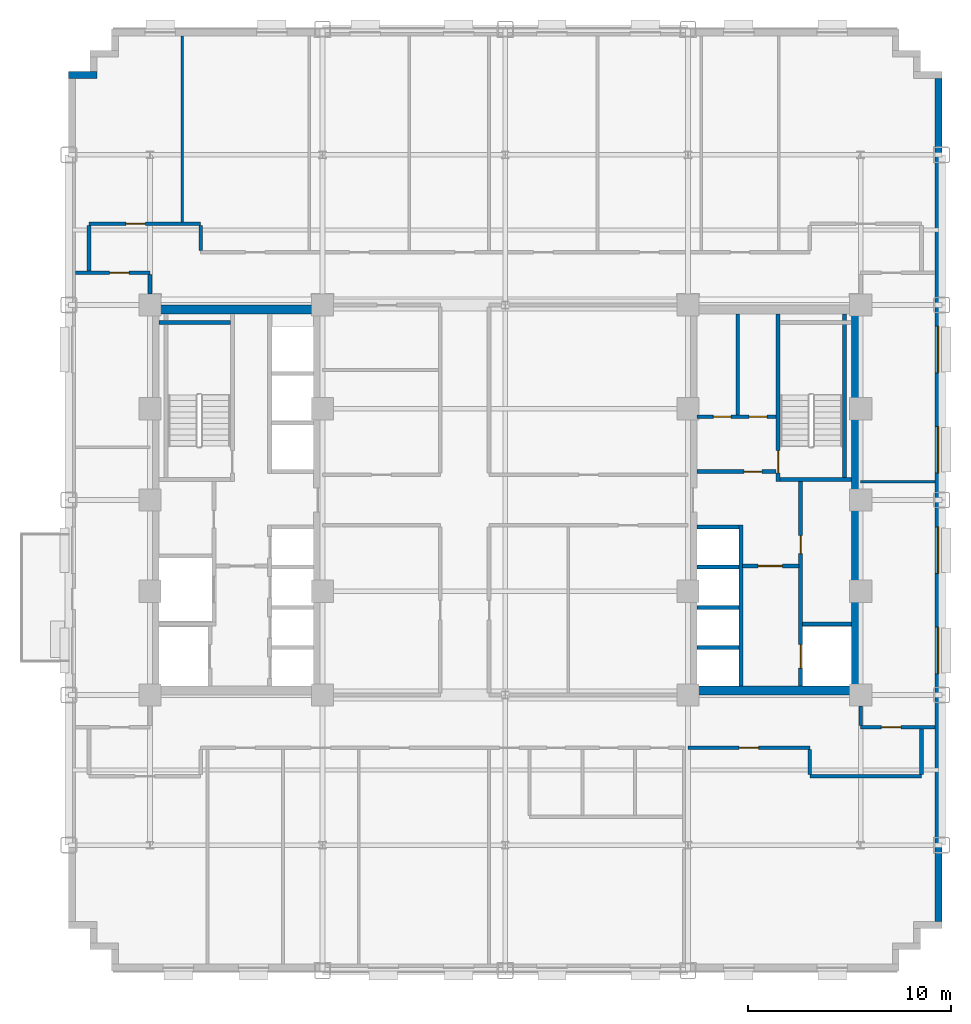
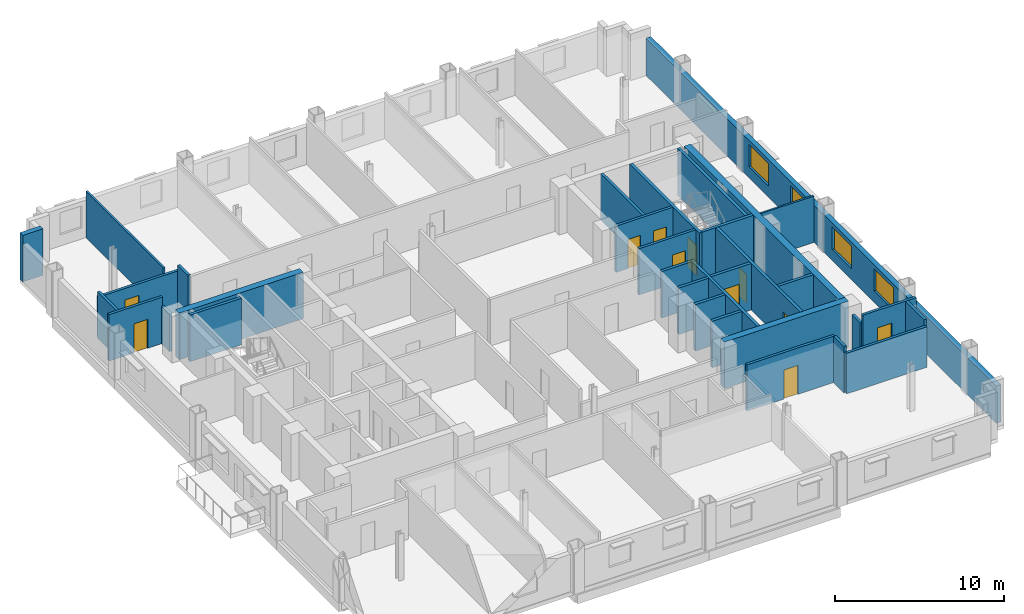
# One storey, part 8 of 14: 33 walls, 11 doors, 4 windows, 15 openings.
"""IFC4 building model written with IfcOpenShell, lengths in metres."""

from ifc_helpers import new_model, si_unit, direction, frame, frame_2d, origin, place, context, subcontext, project, spatial, rectangle, extrude, source, transform, mapped, material, layer, layer_set, type_object, type_shapes, element, fill, save


model = new_model("IFC4")

# Units and contexts
model_context = context("Model", 3, precision=1e-05, world=origin(), true_north=direction((0.0, 1.0)))
body_context = subcontext(model_context, "Body", "Model", "MODEL_VIEW")
ifc_project = project(units=[si_unit("LENGTHUNIT", "METRE"), si_unit("AREAUNIT", "SQUARE_METRE"), si_unit("VOLUMEUNIT", "CUBIC_METRE"), si_unit("PLANEANGLEUNIT", "RADIAN"), si_unit("MASSUNIT", "GRAM", prefix="KILO")], contexts=[model_context])

# Site, building, storey
site_placement = place(None, origin())
site = spatial("IfcSite", under=ifc_project, at=site_placement, CompositionType="ELEMENT")
building_placement = place(site_placement, origin())
building = spatial("IfcBuilding", under=site, at=building_placement, Name="Nuvemarco Arch Tower", CompositionType="ELEMENT")
storey_placement = place(building_placement, frame((0.0, 0.0, 64.10009765625)))
storey = spatial("IfcBuildingStorey", under=building, at=storey_placement, Name="L16", CompositionType="ELEMENT", Elevation=64.10009765625)

# Wall, openings, windows
ifc_material_1 = material(Name="Precast concrete C45/55", Category="concrete")
ifc_layer_1 = layer(ifc_material_1, 0.340087890625, Name="EW-LOW-340")
ifc_layer_set_1 = layer_set([ifc_layer_1], Name="Precast concrete C45/55")
wall_type_1 = type_object("IfcWallType", Name="EW-LOW-340", PredefinedType="STANDARD", material=ifc_layer_set_1)
wall_1_placement = place(storey_placement, frame((21.330078125, -20.763916015625, 0.0), z_axis=(0.0, 0.0, 1.0), x_axis=(0.0, 1.0, 0.0)))
wall_1 = element("IfcWall", 1, at=wall_1_placement, inside=storey, type_object=wall_type_1, Name="L16 exterior precast facade wall 6", PredefinedType="STANDARD", context=body_context, shape_type="SweptSolid", body=[
    extrude(rectangle(XDim=41.52783203125, YDim=0.340087890625, at=frame_2d((20.763916015625, 0.0))), origin(), (0.0, 0.0, 1.0), 2.704833984375),
])
opening_1_placement = place(wall_1_placement, frame((12.202392578125, 0.0, 0.800048828125)))
opening_1 = element("IfcOpeningElement", 2, at=opening_1_placement, cuts=wall_1, Name="Opening WN-10", PredefinedType="OPENING", context=body_context, shape_type="SweptSolid", body=[
    extrude(rectangle(XDim=2.300048828125, YDim=1.6201171875, at=frame_2d((1.14990234375, 0.81005859375))), frame((0.0, 0.179931640625, 0.0), z_axis=(0.0, -1.0, 0.0), x_axis=(1.0, 0.0, 0.0)), (0.0, 0.0, 1.0), 0.360107421875),
])
opening_2_placement = place(wall_1_placement, frame((17.1435546875, 0.0, 0.800048828125)))
opening_2 = element("IfcOpeningElement", 3, at=opening_2_placement, cuts=wall_1, Name="Opening WN-10", PredefinedType="OPENING", context=body_context, shape_type="SweptSolid", body=[
    extrude(rectangle(XDim=2.300048828125, YDim=1.6201171875, at=frame_2d((1.14990234375, 0.81005859375))), frame((0.0, 0.179931640625, 0.0), z_axis=(0.0, -1.0, 0.0), x_axis=(1.0, 0.0, 0.0)), (0.0, 0.0, 1.0), 0.360107421875),
])
opening_3_placement = place(wall_1_placement, frame((22.08447265625, 0.0, 0.800048828125)))
opening_3 = element("IfcOpeningElement", 4, at=opening_3_placement, cuts=wall_1, Name="Opening WN-10", PredefinedType="OPENING", context=body_context, shape_type="SweptSolid", body=[
    extrude(rectangle(XDim=2.300048828125, YDim=1.6201171875, at=frame_2d((1.14990234375, 0.81005859375))), frame((0.0, 0.179931640625, 0.0), z_axis=(0.0, -1.0, 0.0), x_axis=(1.0, 0.0, 0.0)), (0.0, 0.0, 1.0), 0.360107421875),
])
opening_4_placement = place(wall_1_placement, frame((27.025390625, 0.0, 0.800048828125)))
opening_4 = element("IfcOpeningElement", 5, at=opening_4_placement, cuts=wall_1, Name="Opening WN-10", PredefinedType="OPENING", context=body_context, shape_type="SweptSolid", body=[
    extrude(rectangle(XDim=2.300048828125, YDim=1.6201171875, at=frame_2d((1.14990234375, 0.81005859375))), frame((0.0, 0.179931640625, 0.0), z_axis=(0.0, -1.0, 0.0), x_axis=(1.0, 0.0, 0.0)), (0.0, 0.0, 1.0), 0.360107421875),
])
ifc_material_2 = material(Name="Insulated solar-control glass", Category="glass")
window_type = type_object("IfcWindowType", Name="WN-STEP-2300x1700", PartitioningType="DOUBLE_PANEL_VERTICAL", PredefinedType="WINDOW", material=ifc_material_2)
shared_shape_1 = source(origin(), body_context, "Body", "SweptSolid", [
    extrude(rectangle(XDim=2.300048828125, YDim=1.6201171875, at=frame_2d((1.14990234375, 0.81005859375))), frame((0.0, 0.030029296875, 0.0), z_axis=(0.0, -1.0, 0.0), x_axis=(1.0, 0.0, 0.0)), (0.0, 0.0, 1.0), 0.06005859375),
])
type_shapes(window_type, [shared_shape_1])
window_1_placement = place(opening_1_placement, origin())
window_1 = element("IfcWindow", 6, at=window_1_placement, inside=storey, type_object=window_type, Name="L16 punched facade window 3", OverallHeight=1.6201171875, OverallWidth=2.300048828125, PartitioningType="SINGLE_PANEL", PredefinedType="WINDOW", context=body_context, shape_type="MappedRepresentation", body=[
    mapped(shared_shape_1, transform((0.0, 0.0, 0.0), scale=1.0)),
])
fill(opening_1, window_1)
window_2_placement = place(opening_2_placement, origin())
window_2 = element("IfcWindow", 7, at=window_2_placement, inside=storey, type_object=window_type, Name="L16 punched facade window 4", OverallHeight=1.6201171875, OverallWidth=2.300048828125, PartitioningType="SINGLE_PANEL", PredefinedType="WINDOW", context=body_context, shape_type="MappedRepresentation", body=[
    mapped(shared_shape_1, transform((0.0, 0.0, 0.0), scale=1.0)),
])
fill(opening_2, window_2)
window_3_placement = place(opening_3_placement, origin())
window_3 = element("IfcWindow", 8, at=window_3_placement, inside=storey, type_object=window_type, Name="L16 punched facade window 5", OverallHeight=1.6201171875, OverallWidth=2.300048828125, PartitioningType="SINGLE_PANEL", PredefinedType="WINDOW", context=body_context, shape_type="MappedRepresentation", body=[
    mapped(shared_shape_1, transform((0.0, 0.0, 0.0), scale=1.0)),
])
fill(opening_3, window_3)
window_4_placement = place(opening_4_placement, origin())
window_4 = element("IfcWindow", 9, at=window_4_placement, inside=storey, type_object=window_type, Name="L16 punched facade window 6", OverallHeight=1.6201171875, OverallWidth=2.300048828125, PartitioningType="SINGLE_PANEL", PredefinedType="WINDOW", context=body_context, shape_type="MappedRepresentation", body=[
    mapped(shared_shape_1, transform((0.0, 0.0, 0.0), scale=1.0)),
])
fill(opening_4, window_4)

# Walls
wall_2_placement = place(storey_placement, frame((-21.5, 20.929931640625, 0.0), z_axis=(0.0, 0.0, 1.0), x_axis=(1.0, 0.0, 0.0)))
element("IfcWall", 10, at=wall_2_placement, inside=storey, type_object=wall_type_1, Name="L16 exterior precast facade wall 15", PredefinedType="STANDARD", context=body_context, shape_type="SweptSolid", body=[
    extrude(rectangle(XDim=1.389892578125, YDim=0.340087890625, at=frame_2d((0.69482421875, 0.0))), origin(), (0.0, 0.0, 1.0), 3.35986328125),
])
ifc_material_3 = material(Name="Concrete C60/75", Category="concrete")
ifc_layer_2 = layer(ifc_material_3, 0.449951171875, Name="WL-CORE-450")
ifc_layer_set_2 = layer_set([ifc_layer_2], Name="Concrete C60/75")
wall_type_2 = type_object("IfcWallType", Name="WL-CORE-450", PredefinedType="SHEAR", material=ifc_layer_set_2)
for number, where, z_axis, x_axis, name in (
    (11, (-17.5, 9.375, 0.0), (0.0, 0.0, 1.0), (1.0, 0.0, 0.0), "L16 W-core shear wall N"),
    (12, (9.0, -9.375, 0.0), (0.0, 0.0, 1.0), (1.0, 0.0, 0.0), "L16 E-core shear wall S"),
):
    element("IfcWall", number, at=place(storey_placement, frame(where, z_axis=z_axis, x_axis=x_axis)), inside=storey, type_object=wall_type_2, Name=name, PredefinedType="SHEAR", context=body_context, shape_type="SweptSolid", body=[
        extrude(rectangle(XDim=8.5, YDim=0.449951171875, at=frame_2d((4.25, 0.0))), origin(), (0.0, 0.0, 1.0), 3.369873046875),
    ])
wall_3_placement = place(storey_placement, frame((17.27490234375, -9.155029296875, 0.0), z_axis=(0.0, 0.0, 1.0), x_axis=(0.0, 1.0, 0.0)))
element("IfcWall", 13, at=wall_3_placement, inside=storey, type_object=wall_type_2, Name="L16 E-core shear wall E", PredefinedType="SHEAR", context=body_context, shape_type="SweptSolid", body=[
    extrude(rectangle(XDim=18.31005859375, YDim=0.449951171875, at=frame_2d((9.155029296875, 0.0))), origin(), (0.0, 0.0, 1.0), 3.369873046875),
])

# Wall, opening, door
ifc_material_4 = material(Name="Fire-rated gypsum drywall partition")
ifc_layer_3 = layer(ifc_material_4, 0.179931640625, Name="WL-CORR-180")
ifc_layer_set_3 = layer_set([ifc_layer_3], Name="Fire-rated gypsum drywall partition")
wall_type_3 = type_object("IfcWallType", Name="WL-CORR-180", PredefinedType="PARTITIONING", material=ifc_layer_set_3)
wall_4_placement = place(storey_placement, frame((9.445068359375, 1.39990234375, 0.0), z_axis=(0.0, 0.0, 1.0), x_axis=(1.0, 0.0, 0.0)))
wall_4 = element("IfcWall", 14, at=wall_4_placement, inside=storey, type_object=wall_type_3, Name="L16 interior wall IW-L16-EK-S", PredefinedType="PARTITIONING", context=body_context, shape_type="SweptSolid", body=[
    extrude(rectangle(XDim=3.89990234375, YDim=0.179931640625, at=frame_2d((1.949951171875, 0.0))), origin(), (0.0, 0.0, 1.0), 3.35986328125),
])
opening_5_placement = place(wall_4_placement, frame((2.31494140625, 0.0, 0.0)))
opening_5 = element("IfcOpeningElement", 15, at=opening_5_placement, cuts=wall_4, Name="Opening FD-4", PredefinedType="OPENING", context=body_context, shape_type="SweptSolid", body=[
    extrude(rectangle(XDim=0.8798828125, YDim=2.10009765625, at=frame_2d((0.43994140625, 1.050048828125))), frame((0.0, 0.099853515625, 0.0), z_axis=(0.0, -1.0, 0.0), x_axis=(1.0, 0.0, 0.0)), (0.0, 0.0, 1.0), 0.199951171875),
])
ifc_material_5 = material(Name="Anodised steel fire door", Category="steel")
door_type_1 = type_object("IfcDoorType", Name="DR-RISER-FD", OperationType="NOTDEFINED", PredefinedType="DOOR", material=ifc_material_5)
shared_shape_2 = source(origin(), body_context, "Body", "SweptSolid", [
    extrude(rectangle(XDim=0.8798828125, YDim=2.10009765625, at=frame_2d((0.43994140625, 1.050048828125))), frame((0.0, 0.02490234375, 0.0), z_axis=(0.0, -1.0, 0.0), x_axis=(1.0, 0.0, 0.0)), (0.0, 0.0, 1.0), 0.050048828125),
])
type_shapes(door_type_1, [shared_shape_2])
door_1_placement = place(opening_5_placement, origin())
door_1 = element("IfcDoor", 16, at=door_1_placement, inside=storey, type_object=door_type_1, Name="L16 door FD-L16-EK3A", OperationType="SINGLE_SWING_LEFT", OverallHeight=2.10009765625, OverallWidth=0.8798828125, PredefinedType="DOOR", context=body_context, shape_type="MappedRepresentation", body=[
    mapped(shared_shape_2, transform((0.0, 0.0, 0.0), scale=1.0)),
])
fill(opening_5, door_1)

# Wall, openings, doors
wall_5_placement = place(storey_placement, frame((9.445068359375, 4.10009765625, 0.0), z_axis=(0.0, 0.0, 1.0), x_axis=(1.0, 0.0, 0.0)))
wall_5 = element("IfcWall", 17, at=wall_5_placement, inside=storey, type_object=wall_type_3, Name="L16 interior wall IW-L16-EK3H", PredefinedType="PARTITIONING", context=body_context, shape_type="SweptSolid", body=[
    extrude(rectangle(XDim=3.89990234375, YDim=0.179931640625, at=frame_2d((1.949951171875, 0.0))), origin(), (0.0, 0.0, 1.0), 3.35986328125),
])
opening_6_placement = place(wall_5_placement, frame((0.800048828125, 0.0, 0.0)))
opening_6 = element("IfcOpeningElement", 18, at=opening_6_placement, cuts=wall_5, Name="Opening FD-4", PredefinedType="OPENING", context=body_context, shape_type="SweptSolid", body=[
    extrude(rectangle(XDim=0.8798828125, YDim=2.10009765625, at=frame_2d((0.43994140625, 1.050048828125))), frame((0.0, 0.099853515625, 0.0), z_axis=(0.0, -1.0, 0.0), x_axis=(1.0, 0.0, 0.0)), (0.0, 0.0, 1.0), 0.199951171875),
])
opening_7_placement = place(wall_5_placement, frame((2.56494140625, 0.0, 0.0)))
opening_7 = element("IfcOpeningElement", 19, at=opening_7_placement, cuts=wall_5, Name="Opening FD-4", PredefinedType="OPENING", context=body_context, shape_type="SweptSolid", body=[
    extrude(rectangle(XDim=0.8798828125, YDim=2.10009765625, at=frame_2d((0.43994140625, 1.050048828125))), frame((0.0, 0.099853515625, 0.0), z_axis=(0.0, -1.0, 0.0), x_axis=(1.0, 0.0, 0.0)), (0.0, 0.0, 1.0), 0.199951171875),
])
door_2_placement = place(opening_6_placement, origin())
door_2 = element("IfcDoor", 20, at=door_2_placement, inside=storey, type_object=door_type_1, Name="L16 door FD-L16-EK3B", OperationType="SINGLE_SWING_RIGHT", OverallHeight=2.10009765625, OverallWidth=0.8798828125, PredefinedType="DOOR", context=body_context, shape_type="MappedRepresentation", body=[
    mapped(shared_shape_2, transform((0.0, 0.0, 0.0), scale=1.0)),
])
fill(opening_6, door_2)
door_3_placement = place(opening_7_placement, origin())
door_3 = element("IfcDoor", 21, at=door_3_placement, inside=storey, type_object=door_type_1, Name="L16 door FD-L16-EK3C", OperationType="SINGLE_SWING_LEFT", OverallHeight=2.10009765625, OverallWidth=0.8798828125, PredefinedType="DOOR", context=body_context, shape_type="MappedRepresentation", body=[
    mapped(shared_shape_2, transform((0.0, 0.0, 0.0), scale=1.0)),
])
fill(opening_7, door_3)

# Walls
wall_6_placement = place(storey_placement, frame((11.449951171875, 4.18994140625, 0.0), z_axis=(0.0, 0.0, 1.0), x_axis=(0.0, 1.0, 0.0)))
element("IfcWall", 22, at=wall_6_placement, inside=storey, type_object=wall_type_3, Name="L16 interior wall IW-L16-EK3V", PredefinedType="PARTITIONING", context=body_context, shape_type="SweptSolid", body=[
    extrude(rectangle(XDim=4.965087890625, YDim=0.179931640625, at=frame_2d((2.482421875, 0.0))), origin(), (0.0, 0.0, 1.0), 3.35986328125),
])
wall_7_placement = place(storey_placement, frame((15.0, -13.60009765625, 0.0), z_axis=(0.0, 0.0, 1.0), x_axis=(1.0, 0.0, 0.0)))
element("IfcWall", 23, at=wall_7_placement, inside=storey, type_object=wall_type_3, Name="L16 interior wall IW-L16-003", PredefinedType="PARTITIONING", context=body_context, shape_type="SweptSolid", body=[
    extrude(rectangle(XDim=5.5, YDim=0.179931640625, at=frame_2d((2.75, 0.0))), origin(), (0.0, 0.0, 1.0), 2.94189453125),
])

# Wall, opening, door
wall_8_placement = place(storey_placement, frame((9.0, -12.199951171875, 0.0), z_axis=(0.0, 0.0, 1.0), x_axis=(1.0, 0.0, 0.0)))
wall_8 = element("IfcWall", 24, at=wall_8_placement, inside=storey, type_object=wall_type_3, Name="L16 interior wall IW-L16-005", PredefinedType="PARTITIONING", context=body_context, shape_type="SweptSolid", body=[
    extrude(rectangle(XDim=6.0, YDim=0.179931640625, at=frame_2d((3.0, 0.0))), origin(), (0.0, 0.0, 1.0), 3.35986328125),
])
opening_8_placement = place(wall_8_placement, frame((2.52001953125, 0.0, 0.0)))
opening_8 = element("IfcOpeningElement", 25, at=opening_8_placement, cuts=wall_8, Name="Opening FD-5", PredefinedType="OPENING", context=body_context, shape_type="SweptSolid", body=[
    extrude(rectangle(XDim=0.9599609375, YDim=2.10009765625, at=frame_2d((0.47998046875, 1.050048828125))), frame((0.0, 0.099853515625, 0.0), z_axis=(0.0, -1.0, 0.0), x_axis=(1.0, 0.0, 0.0)), (0.0, 0.0, 1.0), 0.199951171875),
])
ifc_material_6 = material(Name="Timber fire door", Category="wood")
door_type_2 = type_object("IfcDoorType", Name="DR-CORR-FD", OperationType="NOTDEFINED", PredefinedType="DOOR", material=ifc_material_6)
shared_shape_3 = source(origin(), body_context, "Body", "SweptSolid", [
    extrude(rectangle(XDim=0.9599609375, YDim=2.10009765625, at=frame_2d((0.47998046875, 1.050048828125))), frame((0.0, 0.02490234375, 0.0), z_axis=(0.0, -1.0, 0.0), x_axis=(1.0, 0.0, 0.0)), (0.0, 0.0, 1.0), 0.050048828125),
])
type_shapes(door_type_2, [shared_shape_3])
door_4_placement = place(opening_8_placement, origin())
door_4 = element("IfcDoor", 26, at=door_4_placement, inside=storey, type_object=door_type_2, Name="L16 door DR-L16-S_6", OperationType="SINGLE_SWING_LEFT", OverallHeight=2.10009765625, OverallWidth=0.9599609375, PredefinedType="DOOR", context=body_context, shape_type="MappedRepresentation", body=[
    mapped(shared_shape_3, transform((0.0, 0.0, 0.0), scale=1.0)),
])
fill(opening_8, door_4)

wall_9_placement = place(storey_placement, frame((17.5, -11.199951171875, 0.0), z_axis=(0.0, 0.0, 1.0), x_axis=(1.0, 0.0, 0.0)))
wall_9 = element("IfcWall", 27, at=wall_9_placement, inside=storey, type_object=wall_type_3, Name="L16 interior wall IW-L16-007", PredefinedType="PARTITIONING", context=body_context, shape_type="SweptSolid", body=[
    extrude(rectangle(XDim=3.659912109375, YDim=0.179931640625, at=frame_2d((1.830078125, 0.0))), origin(), (0.0, 0.0, 1.0), 3.35986328125),
])
opening_9_placement = place(wall_9_placement, frame((1.02001953125, 0.0, 0.0)))
opening_9 = element("IfcOpeningElement", 28, at=opening_9_placement, cuts=wall_9, Name="Opening FD-5", PredefinedType="OPENING", context=body_context, shape_type="SweptSolid", body=[
    extrude(rectangle(XDim=0.9599609375, YDim=2.10009765625, at=frame_2d((0.47998046875, 1.050048828125))), frame((0.0, 0.099853515625, 0.0), z_axis=(0.0, -1.0, 0.0), x_axis=(1.0, 0.0, 0.0)), (0.0, 0.0, 1.0), 0.199951171875),
])
door_5_placement = place(opening_9_placement, origin())
door_5 = element("IfcDoor", 29, at=door_5_placement, inside=storey, type_object=door_type_2, Name="L16 door DR-L16-E_1", OperationType="SINGLE_SWING_RIGHT", OverallHeight=2.10009765625, OverallWidth=0.9599609375, PredefinedType="DOOR", context=body_context, shape_type="MappedRepresentation", body=[
    mapped(shared_shape_3, transform((0.0, 0.0, 0.0), scale=1.0)),
])
fill(opening_9, door_5)

wall_10_placement = place(storey_placement, frame((-21.159912109375, 11.199951171875, 0.0), z_axis=(0.0, 0.0, 1.0), x_axis=(1.0, 0.0, 0.0)))
wall_10 = element("IfcWall", 30, at=wall_10_placement, inside=storey, type_object=wall_type_3, Name="L16 interior wall IW-L16-021", PredefinedType="PARTITIONING", context=body_context, shape_type="SweptSolid", body=[
    extrude(rectangle(XDim=3.659912109375, YDim=0.179931640625, at=frame_2d((1.830078125, 0.0))), origin(), (0.0, 0.0, 1.0), 3.35986328125),
])
opening_10_placement = place(wall_10_placement, frame((1.679931640625, 0.0, 0.0)))
opening_10 = element("IfcOpeningElement", 31, at=opening_10_placement, cuts=wall_10, Name="Opening FD-5", PredefinedType="OPENING", context=body_context, shape_type="SweptSolid", body=[
    extrude(rectangle(XDim=0.9599609375, YDim=2.10009765625, at=frame_2d((0.47998046875, 1.050048828125))), frame((0.0, 0.099853515625, 0.0), z_axis=(0.0, -1.0, 0.0), x_axis=(1.0, 0.0, 0.0)), (0.0, 0.0, 1.0), 0.199951171875),
])
door_6_placement = place(opening_10_placement, origin())
door_6 = element("IfcDoor", 32, at=door_6_placement, inside=storey, type_object=door_type_2, Name="L16 door DR-L16-W_2", OperationType="SINGLE_SWING_LEFT", OverallHeight=2.10009765625, OverallWidth=0.9599609375, PredefinedType="DOOR", context=body_context, shape_type="MappedRepresentation", body=[
    mapped(shared_shape_3, transform((0.0, 0.0, 0.0), scale=1.0)),
])
fill(opening_10, door_6)

wall_11_placement = place(storey_placement, frame((-20.5, 13.60009765625, 0.0), z_axis=(0.0, 0.0, 1.0), x_axis=(1.0, 0.0, 0.0)))
wall_11 = element("IfcWall", 33, at=wall_11_placement, inside=storey, type_object=wall_type_3, Name="L16 interior wall IW-L16-024", PredefinedType="PARTITIONING", context=body_context, shape_type="SweptSolid", body=[
    extrude(rectangle(XDim=5.5, YDim=0.179931640625, at=frame_2d((2.75, 0.0))), origin(), (0.0, 0.0, 1.0), 2.94189453125),
])
opening_11_placement = place(wall_11_placement, frame((1.81494140625, 0.0, 0.0)))
opening_11 = element("IfcOpeningElement", 34, at=opening_11_placement, cuts=wall_11, Name="Opening FD-5", PredefinedType="OPENING", context=body_context, shape_type="SweptSolid", body=[
    extrude(rectangle(XDim=0.9599609375, YDim=2.10009765625, at=frame_2d((0.47998046875, 1.050048828125))), frame((0.0, 0.099853515625, 0.0), z_axis=(0.0, -1.0, 0.0), x_axis=(1.0, 0.0, 0.0)), (0.0, 0.0, 1.0), 0.199951171875),
])
door_7_placement = place(opening_11_placement, origin())
door_7 = element("IfcDoor", 35, at=door_7_placement, inside=storey, type_object=door_type_2, Name="L16 door DR-L16-N_1", OperationType="SINGLE_SWING_LEFT", OverallHeight=2.10009765625, OverallWidth=0.9599609375, PredefinedType="DOOR", context=body_context, shape_type="MappedRepresentation", body=[
    mapped(shared_shape_3, transform((0.0, 0.0, 0.0), scale=1.0)),
])
fill(opening_11, door_7)

# Walls
wall_12_placement = place(storey_placement, frame((-20.5, 11.285888671875, 0.0), z_axis=(0.0, 0.0, 1.0), x_axis=(0.0, 1.0, 0.0)))
element("IfcWall", 36, at=wall_12_placement, inside=storey, type_object=wall_type_3, Name="L16 interior wall IW-L16-027", PredefinedType="PARTITIONING", context=body_context, shape_type="SweptSolid", body=[
    extrude(rectangle(XDim=2.22802734375, YDim=0.179931640625, at=frame_2d((1.114013671875, 0.0))), origin(), (0.0, 0.0, 1.0), 3.35986328125),
])
wall_13_placement = place(storey_placement, frame((-17.5, 10.14599609375, 0.0), z_axis=(0.0, 0.0, 1.0), x_axis=(0.0, 1.0, 0.0)))
element("IfcWall", 37, at=wall_13_placement, inside=storey, type_object=wall_type_3, Name="L16 interior wall IW-L16-029", PredefinedType="PARTITIONING", context=body_context, shape_type="SweptSolid", body=[
    extrude(rectangle(XDim=0.968017578125, YDim=0.179931640625, at=frame_2d((0.48388671875, 0.0))), origin(), (0.0, 0.0, 1.0), 2.73779296875),
])
for number, where, z_axis, x_axis, name in (
    (38, (-15.0, 12.285888671875, 0.0), (0.0, 0.0, 1.0), (0.0, 1.0, 0.0), "L16 interior wall IW-L16-032"),
    (39, (15.0, -13.513916015625, 0.0), (0.0, 0.0, 1.0), (0.0, 1.0, 0.0), "L16 interior wall IW-L16-053"),
):
    element("IfcWall", number, at=place(storey_placement, frame(where, z_axis=z_axis, x_axis=x_axis)), inside=storey, type_object=wall_type_3, Name=name, PredefinedType="PARTITIONING", context=body_context, shape_type="SweptSolid", body=[
        extrude(rectangle(XDim=1.22802734375, YDim=0.179931640625, at=frame_2d((0.614013671875, 0.0))), origin(), (0.0, 0.0, 1.0), 3.35986328125),
    ])
wall_14_placement = place(storey_placement, frame((17.5, -11.114013671875, 0.0), z_axis=(0.0, 0.0, 1.0), x_axis=(0.0, 1.0, 0.0)))
element("IfcWall", 40, at=wall_14_placement, inside=storey, type_object=wall_type_3, Name="L16 interior wall IW-L16-055", PredefinedType="PARTITIONING", context=body_context, shape_type="SweptSolid", body=[
    extrude(rectangle(XDim=0.968017578125, YDim=0.179931640625, at=frame_2d((0.48388671875, 0.0))), origin(), (0.0, 0.0, 1.0), 2.73779296875),
])
wall_15_placement = place(storey_placement, frame((20.5, -13.513916015625, 0.0), z_axis=(0.0, 0.0, 1.0), x_axis=(0.0, 1.0, 0.0)))
element("IfcWall", 41, at=wall_15_placement, inside=storey, type_object=wall_type_3, Name="L16 interior wall IW-L16-057", PredefinedType="PARTITIONING", context=body_context, shape_type="SweptSolid", body=[
    extrude(rectangle(XDim=2.22802734375, YDim=0.179931640625, at=frame_2d((1.114013671875, 0.0))), origin(), (0.0, 0.0, 1.0), 3.35986328125),
])
ifc_material_7 = material(Name="Glazed acoustic office partition")
ifc_layer_4 = layer(ifc_material_7, 0.1298828125, Name="WL-EXEC-130")
ifc_layer_set_4 = layer_set([ifc_layer_4], Name="Glazed acoustic office partition")
wall_type_4 = type_object("IfcWallType", Name="WL-EXEC-130", PredefinedType="PARTITIONING", material=ifc_layer_set_4)
wall_16_placement = place(storey_placement, frame((17.5, 0.89990234375, 0.0), z_axis=(0.0, 0.0, 1.0), x_axis=(1.0, 0.0, 0.0)))
element("IfcWall", 42, at=wall_16_placement, inside=storey, type_object=wall_type_4, Name="L16 interior wall IW-L16-013", PredefinedType="PARTITIONING", context=body_context, shape_type="SweptSolid", body=[
    extrude(rectangle(XDim=3.659912109375, YDim=0.1298828125, at=frame_2d((1.830078125, 0.0))), origin(), (0.0, 0.0, 1.0), 3.35986328125),
])
wall_17_placement = place(storey_placement, frame((-15.909912109375, 13.68603515625, 0.0), z_axis=(0.0, 0.0, 1.0), x_axis=(0.0, 1.0, 0.0)))
element("IfcWall", 43, at=wall_17_placement, inside=storey, type_object=wall_type_4, Name="L16 interior wall IW-L16-030", PredefinedType="PARTITIONING", context=body_context, shape_type="SweptSolid", body=[
    extrude(rectangle(XDim=9.174072265625, YDim=0.1298828125, at=frame_2d((4.5869140625, 0.0))), origin(), (0.0, 0.0, 1.0), 3.35986328125),
])
ifc_material_8 = material(Name="Concrete C50/60", Category="concrete")
ifc_layer_5 = layer(ifc_material_8, 0.199951171875, Name="WL-SHAFT-220")
ifc_layer_set_5 = layer_set([ifc_layer_5], Name="Concrete C50/60")
wall_type_5 = type_object("IfcWallType", Name="WL-SHAFT-220", PredefinedType="SHEAR", material=ifc_layer_set_5)
wall_18_placement = place(storey_placement, frame((-17.054931640625, 8.75, 0.0), z_axis=(0.0, 0.0, 1.0), x_axis=(1.0, 0.0, 0.0)))
element("IfcWall", 44, at=wall_18_placement, inside=storey, type_object=wall_type_5, Name="L16 structural shaft wall SW-L16-W-ST1N", PredefinedType="SHEAR", context=body_context, shape_type="SweptSolid", body=[
    extrude(rectangle(XDim=3.52001953125, YDim=0.199951171875, at=frame_2d((1.760009765625, 0.0))), origin(), (0.0, 0.0, 1.0), 3.369873046875),
])

# Wall, opening, door
wall_19_placement = place(storey_placement, frame((13.43994140625, 0.89990234375, 0.0), z_axis=(0.0, 0.0, 1.0), x_axis=(0.0, 1.0, 0.0)))
wall_19 = element("IfcWall", 45, at=wall_19_placement, inside=storey, type_object=wall_type_5, Name="L16 structural shaft wall SW-L16-E-ST2W", PredefinedType="SHEAR", context=body_context, shape_type="SweptSolid", body=[
    extrude(rectangle(XDim=8.255126953125, YDim=0.199951171875, at=frame_2d((4.12744140625, 0.0))), origin(), (0.0, 0.0, 1.0), 3.369873046875),
])
opening_12_placement = place(wall_19_placement, frame((0.429931640625, 0.0, 0.0)))
opening_12 = element("IfcOpeningElement", 46, at=opening_12_placement, cuts=wall_19, Name="Opening FD-1", PredefinedType="OPENING", context=body_context, shape_type="SweptSolid", body=[
    extrude(rectangle(XDim=1.10009765625, YDim=2.14990234375, at=frame_2d((0.550048828125, 1.074951171875))), frame((0.0, 0.10986328125, 0.0), z_axis=(0.0, -1.0, 0.0), x_axis=(1.0, 0.0, 0.0)), (0.0, 0.0, 1.0), 0.219970703125),
])
door_type_3 = type_object("IfcDoorType", Name="DR-STAIR-FD", OperationType="NOTDEFINED", PredefinedType="DOOR", material=ifc_material_5)
shared_shape_4 = source(origin(), body_context, "Body", "SweptSolid", [
    extrude(rectangle(XDim=1.10009765625, YDim=2.14990234375, at=frame_2d((0.550048828125, 1.074951171875))), frame((0.0, 0.02490234375, 0.0), z_axis=(0.0, -1.0, 0.0), x_axis=(1.0, 0.0, 0.0)), (0.0, 0.0, 1.0), 0.050048828125),
])
type_shapes(door_type_3, [shared_shape_4])
door_8_placement = place(opening_12_placement, origin())
door_8 = element("IfcDoor", 47, at=door_8_placement, inside=storey, type_object=door_type_3, Name="L16 door FD-L16-ST2", OperationType="SINGLE_SWING_RIGHT", OverallHeight=2.14990234375, OverallWidth=1.10009765625, PredefinedType="DOOR", context=body_context, shape_type="MappedRepresentation", body=[
    mapped(shared_shape_4, transform((0.0, 0.0, 0.0), scale=1.0)),
])
fill(opening_12, door_8)

# Walls
wall_20_placement = place(storey_placement, frame((13.534912109375, 1.0, 0.0), z_axis=(0.0, 0.0, 1.0), x_axis=(1.0, 0.0, 0.0)))
element("IfcWall", 48, at=wall_20_placement, inside=storey, type_object=wall_type_5, Name="L16 structural shaft wall SW-L16-E-ST2S", PredefinedType="SHEAR", context=body_context, shape_type="SweptSolid", body=[
    extrude(rectangle(XDim=3.52001953125, YDim=0.199951171875, at=frame_2d((1.760009765625, 0.0))), origin(), (0.0, 0.0, 1.0), 3.369873046875),
])
wall_21_placement = place(storey_placement, frame((16.699951171875, 1.094970703125, 0.0), z_axis=(0.0, 0.0, 1.0), x_axis=(0.0, 1.0, 0.0)))
element("IfcWall", 49, at=wall_21_placement, inside=storey, type_object=wall_type_5, Name="L16 structural shaft wall SW-L16-E-ST2E", PredefinedType="SHEAR", context=body_context, shape_type="SweptSolid", body=[
    extrude(rectangle(XDim=8.06005859375, YDim=0.199951171875, at=frame_2d((4.030029296875, 0.0))), origin(), (0.0, 0.0, 1.0), 3.369873046875),
])

# Wall, openings, doors
wall_22_placement = place(storey_placement, frame((14.550048828125, -9.155029296875, 0.0), z_axis=(0.0, 0.0, 1.0), x_axis=(0.0, 1.0, 0.0)))
wall_22 = element("IfcWall", 50, at=wall_22_placement, inside=storey, type_object=wall_type_5, Name="L16 structural shaft wall SW-L16-E-SHW", PredefinedType="SHEAR", context=body_context, shape_type="SweptSolid", body=[
    extrude(rectangle(XDim=10.06005859375, YDim=0.199951171875, at=frame_2d((5.030029296875, 0.0))), origin(), (0.0, 0.0, 1.0), 3.369873046875),
])
opening_13_placement = place(wall_22_placement, frame((6.514892578125, 0.0, 0.0)))
opening_13 = element("IfcOpeningElement", 51, at=opening_13_placement, cuts=wall_22, Name="Opening FD-4", PredefinedType="OPENING", context=body_context, shape_type="SweptSolid", body=[
    extrude(rectangle(XDim=0.8798828125, YDim=2.10009765625, at=frame_2d((0.43994140625, 1.050048828125))), frame((0.0, 0.10986328125, 0.0), z_axis=(0.0, -1.0, 0.0), x_axis=(1.0, 0.0, 0.0)), (0.0, 0.0, 1.0), 0.219970703125),
])
opening_14_placement = place(wall_22_placement, frame((0.8798828125, 0.0, 0.0)))
opening_14 = element("IfcOpeningElement", 52, at=opening_14_placement, cuts=wall_22, Name="Opening LD-2", PredefinedType="OPENING", context=body_context, shape_type="SweptSolid", body=[
    extrude(rectangle(XDim=1.14990234375, YDim=2.14990234375, at=frame_2d((0.574951171875, 1.074951171875))), frame((0.0, 0.10986328125, 0.0), z_axis=(0.0, -1.0, 0.0), x_axis=(1.0, 0.0, 0.0)), (0.0, 0.0, 1.0), 0.219970703125),
])
door_9_placement = place(opening_13_placement, origin())
door_9 = element("IfcDoor", 53, at=door_9_placement, inside=storey, type_object=door_type_1, Name="L16 door FD-L16-ERIS", OperationType="SINGLE_SWING_RIGHT", OverallHeight=2.10009765625, OverallWidth=0.8798828125, PredefinedType="DOOR", context=body_context, shape_type="MappedRepresentation", body=[
    mapped(shared_shape_2, transform((0.0, 0.0, 0.0), scale=1.0)),
])
fill(opening_13, door_9)
ifc_material_9 = material(Name="Stainless steel lift door", Category="steel")
door_type_4 = type_object("IfcDoorType", Name="DR-LIFT-FIRE", OperationType="DOUBLE_DOOR_SLIDING", PredefinedType="DOOR", material=ifc_material_9)
shared_shape_5 = source(origin(), body_context, "Body", "SweptSolid", [
    extrude(rectangle(XDim=1.14990234375, YDim=2.14990234375, at=frame_2d((0.574951171875, 1.074951171875))), frame((0.0, 0.02490234375, 0.0), z_axis=(0.0, -1.0, 0.0), x_axis=(1.0, 0.0, 0.0)), (0.0, 0.0, 1.0), 0.050048828125),
])
type_shapes(door_type_4, [shared_shape_5])
door_10_placement = place(opening_14_placement, origin())
door_10 = element("IfcDoor", 54, at=door_10_placement, inside=storey, type_object=door_type_4, Name="L16 Lift landing sliding door FFL-2", OperationType="DOUBLE_DOOR_SLIDING", OverallHeight=2.14990234375, OverallWidth=1.14990234375, PredefinedType="DOOR", context=body_context, shape_type="MappedRepresentation", body=[
    mapped(shared_shape_5, transform((0.0, 0.0, 0.0), scale=1.0)),
])
fill(opening_14, door_10)

# Walls
wall_23_placement = place(storey_placement, frame((14.64501953125, -6.10009765625, 0.0), z_axis=(0.0, 0.0, 1.0), x_axis=(1.0, 0.0, 0.0)))
element("IfcWall", 55, at=wall_23_placement, inside=storey, type_object=wall_type_5, Name="L16 structural shaft wall SW-L16-E-SH1", PredefinedType="SHEAR", context=body_context, shape_type="SweptSolid", body=[
    extrude(rectangle(XDim=2.409912109375, YDim=0.199951171875, at=frame_2d((1.205078125, 0.0))), origin(), (0.0, 0.0, 1.0), 3.369873046875),
])
wall_24_placement = place(storey_placement, frame((11.60009765625, -9.155029296875, 0.0), z_axis=(0.0, 0.0, 1.0), x_axis=(0.0, 1.0, 0.0)))
element("IfcWall", 56, at=wall_24_placement, inside=storey, type_object=wall_type_5, Name="L16 structural shaft wall SW-L16-E-PME", PredefinedType="SHEAR", context=body_context, shape_type="SweptSolid", body=[
    extrude(rectangle(XDim=7.925048828125, YDim=0.199951171875, at=frame_2d((3.96240234375, 0.0))), origin(), (0.0, 0.0, 1.0), 3.369873046875),
])

# Wall, opening, door
wall_25_placement = place(storey_placement, frame((11.695068359375, -3.25, 0.0), z_axis=(0.0, 0.0, 1.0), x_axis=(1.0, 0.0, 0.0)))
wall_25 = element("IfcWall", 57, at=wall_25_placement, inside=storey, type_object=wall_type_5, Name="L16 structural shaft wall SW-L16-E-FFN", PredefinedType="SHEAR", context=body_context, shape_type="SweptSolid", body=[
    extrude(rectangle(XDim=2.760009765625, YDim=0.199951171875, at=frame_2d((1.3798828125, 0.0))), origin(), (0.0, 0.0, 1.0), 3.369873046875),
])
opening_15_placement = place(wall_25_placement, frame((0.7548828125, 0.0, 0.0)))
opening_15 = element("IfcOpeningElement", 58, at=opening_15_placement, cuts=wall_25, Name="Opening FD-2", PredefinedType="OPENING", context=body_context, shape_type="SweptSolid", body=[
    extrude(rectangle(XDim=1.199951171875, YDim=2.14990234375, at=frame_2d((0.60009765625, 1.074951171875))), frame((0.0, 0.10986328125, 0.0), z_axis=(0.0, -1.0, 0.0), x_axis=(1.0, 0.0, 0.0)), (0.0, 0.0, 1.0), 0.219970703125),
])
door_type_5 = type_object("IfcDoorType", Name="DR-FFLOB-FD", OperationType="NOTDEFINED", PredefinedType="DOOR", material=ifc_material_5)
shared_shape_6 = source(origin(), body_context, "Body", "SweptSolid", [
    extrude(rectangle(XDim=1.199951171875, YDim=2.14990234375, at=frame_2d((0.60009765625, 1.074951171875))), frame((0.0, 0.02490234375, 0.0), z_axis=(0.0, -1.0, 0.0), x_axis=(1.0, 0.0, 0.0)), (0.0, 0.0, 1.0), 0.050048828125),
])
type_shapes(door_type_5, [shared_shape_6])
door_11_placement = place(opening_15_placement, origin())
door_11 = element("IfcDoor", 59, at=door_11_placement, inside=storey, type_object=door_type_5, Name="L16 door FD-L16-EFF2", OperationType="SINGLE_SWING_RIGHT", OverallHeight=2.14990234375, OverallWidth=1.199951171875, PredefinedType="DOOR", context=body_context, shape_type="MappedRepresentation", body=[
    mapped(shared_shape_6, transform((0.0, 0.0, 0.0), scale=1.0)),
])
fill(opening_15, door_11)

# Walls
for number, where, z_axis, x_axis, name in (
    (60, (9.445068359375, -7.27001953125, 0.0), (0.0, 0.0, 1.0), (1.0, 0.0, 0.0), "L16 structural shaft wall SW-L16-E-PMD1"),
    (61, (9.445068359375, -5.2900390625, 0.0), (0.0, 0.0, 1.0), (1.0, 0.0, 0.0), "L16 structural shaft wall SW-L16-E-PMD2"),
    (62, (9.445068359375, -3.31005859375, 0.0), (0.0, 0.0, 1.0), (1.0, 0.0, 0.0), "L16 structural shaft wall SW-L16-E-PMD3"),
    (63, (9.445068359375, -1.330078125, 0.0), (0.0, 0.0, 1.0), (1.0, 0.0, 0.0), "L16 structural shaft wall SW-L16-E-PMD4"),
):
    element("IfcWall", number, at=place(storey_placement, frame(where, z_axis=z_axis, x_axis=x_axis)), inside=storey, type_object=wall_type_5, Name=name, PredefinedType="SHEAR", context=body_context, shape_type="SweptSolid", body=[
        extrude(rectangle(XDim=2.059814453125, YDim=0.199951171875, at=frame_2d((1.02978515625, 0.0))), origin(), (0.0, 0.0, 1.0), 3.369873046875),
    ])

save(model, "model.ifc")
